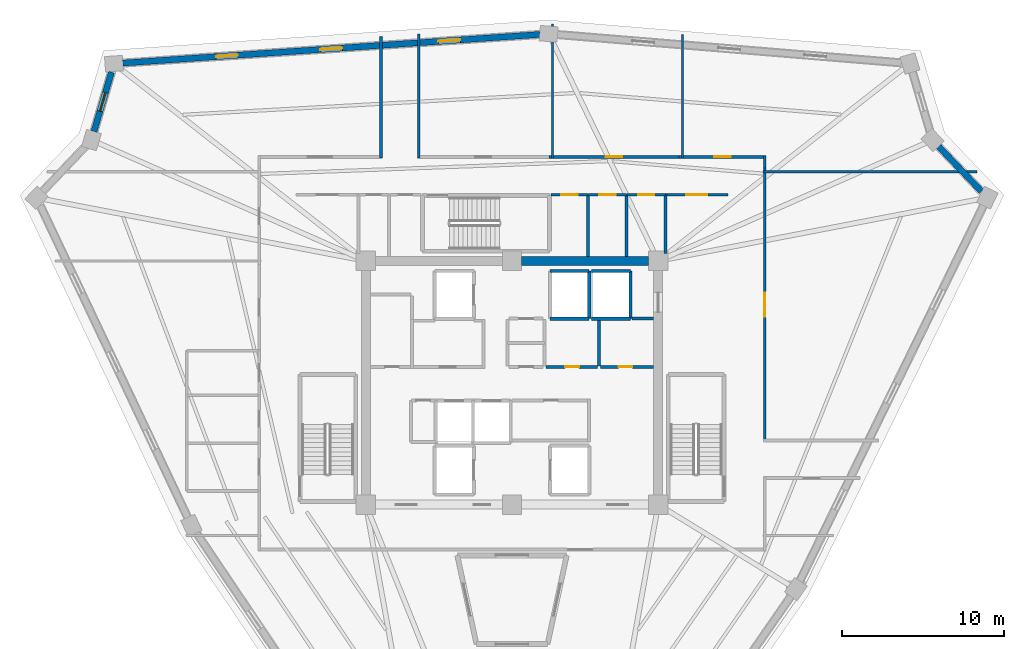
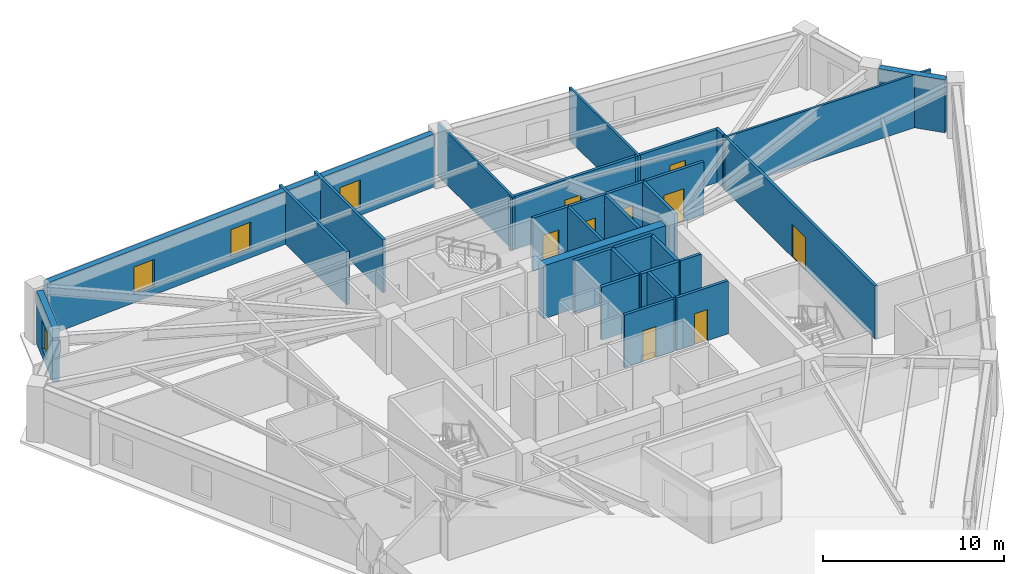
# One storey, part 6 of 9: 30 walls, 9 doors, 4 windows, 13 openings.
"""IFC4 building model written with IfcOpenShell, lengths in metres."""

from ifc_helpers import new_model, si_unit, direction, frame, frame_2d, origin, place, context, subcontext, project, spatial, rectangle, extrude, source, transform, mapped, material, layer, layer_set, type_object, element, fill, save


model = new_model("IFC4")

# Units and contexts
model_context = context("Model", 3, precision=1e-05, world=origin(), true_north=direction((0.0, 1.0)))
body_context = subcontext(model_context, "Body", "Model", "MODEL_VIEW")
ifc_project = project(units=[si_unit("LENGTHUNIT", "METRE"), si_unit("AREAUNIT", "SQUARE_METRE"), si_unit("VOLUMEUNIT", "CUBIC_METRE"), si_unit("PLANEANGLEUNIT", "RADIAN"), si_unit("MASSUNIT", "GRAM", prefix="KILO")], contexts=[model_context])

# Site, building, storey
site_placement = place(None, origin())
site = spatial("IfcSite", under=ifc_project, at=site_placement, CompositionType="ELEMENT")
building_placement = place(site_placement, origin())
building = spatial("IfcBuilding", under=site, at=building_placement, Name="Liaohun Quay Tower", CompositionType="ELEMENT")
storey_placement = place(building_placement, frame((0.0, 0.0, 328.5)))
storey = spatial("IfcBuildingStorey", under=building, at=storey_placement, Name="L85", CompositionType="ELEMENT", Elevation=328.5)

# Walls
ifc_material_1 = material(Name="Concrete C50", Category="concrete")
ifc_layer_1 = layer(ifc_material_1, 0.550048828125, Name="Concrete C50", Category="concrete")
ifc_layer_set_1 = layer_set([ifc_layer_1], Name="Concrete C50")
wall_type_1 = type_object("IfcWallType", Name="WAL-COR-Z4", PredefinedType="SHEAR", material=ifc_layer_set_1)
wall_1_placement = place(storey_placement, frame((60.60009765625, 61.5, 0.0), z_axis=(0.0, 0.0, 1.0), x_axis=(1.0, 0.0, 0.0)))
element("IfcWall", 1, at=wall_1_placement, inside=storey, type_object=wall_type_1, Name="L85 Central Core Shear Wall N-E", PredefinedType="SHEAR", context=body_context, shape_type="SweptSolid", body=[
    extrude(rectangle(XDim=7.7998046875, YDim=0.550048828125, at=frame_2d((3.89990234375, 0.0))), origin(), (0.0, 0.0, 1.0), 3.570068359375),
])
ifc_material_2 = material(Name="Precast concrete C50 insulated sandwich", Category="concrete")
ifc_layer_2 = layer(ifc_material_2, 0.3798828125, Name="Precast concrete C50 insulated sandwich", Category="concrete")
ifc_layer_set_2 = layer_set([ifc_layer_2], Name="Precast concrete C50 insulated sandwich")
wall_type_2 = type_object("IfcWallType", Name="WAL-EXT-Z34", PredefinedType="SOLIDWALL", material=ifc_layer_set_2)
wall_2_placement = place(storey_placement, frame((88.89599609375, 65.7900390625, 0.0), z_axis=(0.0, 0.0, 1.0), x_axis=(-0.689375804196, 0.724403893273, 0.0)))
element("IfcWall", 2, at=wall_2_placement, inside=storey, type_object=wall_type_2, Name="L85 Brutalist Precast Pier Wall 04", PredefinedType="SOLIDWALL", context=body_context, shape_type="SweptSolid", body=[
    extrude(rectangle(XDim=3.819580078125, YDim=0.3798828125, at=frame_2d((1.90966796875, 0.0))), origin(), (0.0, 0.0, 1.0), 3.570068359375),
])

# Wall, openings, windows
wall_3_placement = place(storey_placement, frame((61.718994140625, 75.447998046875, 0.0), z_axis=(0.0, 0.0, 1.0), x_axis=(-0.997650373025, -0.068510825445, 0.0)))
wall_3 = element("IfcWall", 3, at=wall_3_placement, inside=storey, type_object=wall_type_2, Name="L85 Brutalist Precast Pier Wall 07", PredefinedType="SOLIDWALL", context=body_context, shape_type="SweptSolid", body=[
    extrude(rectangle(XDim=25.74658203125, YDim=0.3798828125, at=frame_2d((12.873291015625, 0.0))), origin(), (0.0, 0.0, 1.0), 3.570068359375),
])
shared_shape_1 = source(origin(), body_context, "Body", "SweptSolid", [
    extrude(rectangle(XDim=1.35009765625, YDim=1.85009765625, at=frame_2d((0.675048828125, 0.925048828125))), frame((0.0, 0.199951171875, 0.0), z_axis=(0.0, -1.0, 0.0), x_axis=(1.0, 0.0, 0.0)), (0.0, 0.0, 1.0), 0.39990234375),
])
opening_1_placement = place(wall_3_placement, frame((4.912109375, 0.0, 0.550048828125)))
opening_1 = element("IfcOpeningElement", 4, at=opening_1_placement, cuts=wall_3, Name="Opening W04", PredefinedType="OPENING", context=body_context, shape_type="MappedRepresentation", body=[
    mapped(shared_shape_1, transform((0.0, 0.0, 0.0), x_axis=(1.0, 0.0, 0.0), y_axis=(0.0, 1.0, 0.0), z_axis=(0.0, 0.0, 1.0), scale=1.0)),
])
opening_2_placement = place(wall_3_placement, frame((12.197998046875, 0.0, 0.550048828125)))
opening_2 = element("IfcOpeningElement", 5, at=opening_2_placement, cuts=wall_3, Name="Opening W04", PredefinedType="OPENING", context=body_context, shape_type="MappedRepresentation", body=[
    mapped(shared_shape_1, transform((0.0, 0.0, 0.0), x_axis=(1.0, 0.0, 0.0), y_axis=(0.0, 1.0, 0.0), z_axis=(0.0, 0.0, 1.0), scale=1.0)),
])
opening_3_placement = place(wall_3_placement, frame((18.635009765625, 0.0, 0.550048828125)))
opening_3 = element("IfcOpeningElement", 6, at=opening_3_placement, cuts=wall_3, Name="Opening W04", PredefinedType="OPENING", context=body_context, shape_type="MappedRepresentation", body=[
    mapped(shared_shape_1, transform((0.0, 0.0, 0.0), x_axis=(1.0, 0.0, 0.0), y_axis=(0.0, 1.0, 0.0), z_axis=(0.0, 0.0, 1.0), scale=1.0)),
])
ifc_material_3 = material(Name="Triple Low-E argon glazing in thermally broken aluminium", Category="aluminium")
window_type_1 = type_object("IfcWindowType", Name="WIN-PUN-Z4", PartitioningType="SINGLE_PANEL", PredefinedType="WINDOW", material=ifc_material_3)
shared_shape_2 = source(origin(), body_context, "Body", "SweptSolid", [
    extrude(rectangle(XDim=1.35009765625, YDim=1.85009765625, at=frame_2d((0.675048828125, 0.925048828125))), frame((0.0, 0.030029296875, 0.0), z_axis=(0.0, -1.0, 0.0), x_axis=(1.0, 0.0, 0.0)), (0.0, 0.0, 1.0), 0.06005859375),
])
window_1_placement = place(opening_1_placement, origin())
window_1 = element("IfcWindow", 7, at=window_1_placement, inside=storey, type_object=window_type_1, Name="L85 Recessed Cold-Climate Punched Window 07-1", OverallHeight=1.85009765625, OverallWidth=1.35009765625, PartitioningType="SINGLE_PANEL", PredefinedType="WINDOW", context=body_context, shape_type="MappedRepresentation", body=[
    mapped(shared_shape_2, transform((0.0, 0.0, 0.0), x_axis=(1.0, 0.0, 0.0), y_axis=(0.0, 1.0, 0.0), z_axis=(0.0, 0.0, 1.0), scale=1.0)),
])
fill(opening_1, window_1)
window_2_placement = place(opening_2_placement, origin())
window_2 = element("IfcWindow", 8, at=window_2_placement, inside=storey, type_object=window_type_1, Name="L85 Recessed Cold-Climate Punched Window 07-2", OverallHeight=1.85009765625, OverallWidth=1.35009765625, PartitioningType="SINGLE_PANEL", PredefinedType="WINDOW", context=body_context, shape_type="MappedRepresentation", body=[
    mapped(shared_shape_2, transform((0.0, 0.0, 0.0), x_axis=(1.0, 0.0, 0.0), y_axis=(0.0, 1.0, 0.0), z_axis=(0.0, 0.0, 1.0), scale=1.0)),
])
fill(opening_2, window_2)
window_3_placement = place(opening_3_placement, origin())
window_3 = element("IfcWindow", 9, at=window_3_placement, inside=storey, type_object=window_type_1, Name="L85 Recessed Cold-Climate Punched Window 07-3", OverallHeight=1.85009765625, OverallWidth=1.35009765625, PartitioningType="SINGLE_PANEL", PredefinedType="WINDOW", context=body_context, shape_type="MappedRepresentation", body=[
    mapped(shared_shape_2, transform((0.0, 0.0, 0.0), x_axis=(1.0, 0.0, 0.0), y_axis=(0.0, 1.0, 0.0), z_axis=(0.0, 0.0, 1.0), scale=1.0)),
])
fill(opening_3, window_3)

# Wall, opening, window
wall_4_placement = place(storey_placement, frame((35.341064453125, 73.12890625, 0.0), z_axis=(0.0, 0.0, 1.0), x_axis=(-0.282598986048, -0.959238142009, 0.0)))
wall_4 = element("IfcWall", 10, at=wall_4_placement, inside=storey, type_object=wall_type_2, Name="L85 Brutalist Precast Pier Wall 08", PredefinedType="SOLIDWALL", context=body_context, shape_type="SweptSolid", body=[
    extrude(rectangle(XDim=3.818603515625, YDim=0.3798828125, at=frame_2d((1.9091796875, 0.0))), origin(), (0.0, 0.0, 1.0), 3.570068359375),
])
shared_shape_3 = source(origin(), body_context, "Body", "SweptSolid", [
    extrude(rectangle(XDim=1.199951171875, YDim=1.89990234375, at=frame_2d((0.60009765625, 0.949951171875))), frame((0.0, 0.199951171875, 0.0), z_axis=(0.0, -1.0, 0.0), x_axis=(1.0, 0.0, 0.0)), (0.0, 0.0, 1.0), 0.39990234375),
])
opening_4_placement = place(wall_4_placement, frame((1.30908203125, 0.0, 0.550048828125)))
opening_4 = element("IfcOpeningElement", 11, at=opening_4_placement, cuts=wall_4, Name="Opening W05", PredefinedType="OPENING", context=body_context, shape_type="MappedRepresentation", body=[
    mapped(shared_shape_3, transform((0.0, 0.0, 0.0), x_axis=(1.0, 0.0, 0.0), y_axis=(0.0, 1.0, 0.0), z_axis=(0.0, 0.0, 1.0), scale=1.0)),
])
ifc_material_4 = material(Name="Triple Low-E corner notch glazing", Category="glass")
window_type_2 = type_object("IfcWindowType", Name="WIN-NOTCH", PartitioningType="SINGLE_PANEL", PredefinedType="WINDOW", material=ifc_material_4)
shared_shape_4 = source(origin(), body_context, "Body", "SweptSolid", [
    extrude(rectangle(XDim=1.199951171875, YDim=1.89990234375, at=frame_2d((0.60009765625, 0.949951171875))), frame((0.0, 0.030029296875, 0.0), z_axis=(0.0, -1.0, 0.0), x_axis=(1.0, 0.0, 0.0)), (0.0, 0.0, 1.0), 0.06005859375),
])
window_4_placement = place(opening_4_placement, origin())
window_4 = element("IfcWindow", 12, at=window_4_placement, inside=storey, type_object=window_type_2, Name="L85 Corner Notch Window W05-08", OverallHeight=1.89990234375, OverallWidth=1.199951171875, PartitioningType="SINGLE_PANEL", PredefinedType="WINDOW", context=body_context, shape_type="MappedRepresentation", body=[
    mapped(shared_shape_4, transform((0.0, 0.0, 0.0), x_axis=(1.0, 0.0, 0.0), y_axis=(0.0, 1.0, 0.0), z_axis=(0.0, 0.0, 1.0), scale=1.0)),
])
fill(opening_4, window_4)

# Wall, opening, door
ifc_material_5 = material(Name="Autoclaved aerated concrete blockwork", Category="masonry")
ifc_layer_3 = layer(ifc_material_5, 0.179931640625, Name="Autoclaved aerated concrete blockwork", Category="masonry")
ifc_layer_set_3 = layer_set([ifc_layer_3], Name="Autoclaved aerated concrete blockwork")
wall_type_3 = type_object("IfcWallType", Name="WAL-PRT-COR", PredefinedType="PARTITIONING", material=ifc_layer_set_3)
wall_5_placement = place(storey_placement, frame((62.10009765625, 54.97998046875, 0.0), z_axis=(0.0, 0.0, 1.0), x_axis=(1.0, 0.0, 0.0)))
wall_5 = element("IfcWall", 13, at=wall_5_placement, inside=storey, type_object=wall_type_3, Name="L85 Interior Partition Wall 004", PredefinedType="PARTITIONING", context=body_context, shape_type="SweptSolid", body=[
    extrude(rectangle(XDim=3.159912109375, YDim=0.179931640625, at=frame_2d((1.580078125, 0.0))), origin(), (0.0, 0.0, 1.0), 3.570068359375),
])
shared_shape_5 = source(origin(), body_context, "Body", "SweptSolid", [
    extrude(rectangle(XDim=0.85009765625, YDim=2.10009765625, at=frame_2d((0.425048828125, 1.050048828125))), frame((0.0, 0.099853515625, 0.0), z_axis=(0.0, -1.0, 0.0), x_axis=(1.0, 0.0, 0.0)), (0.0, 0.0, 1.0), 0.199951171875),
])
opening_5_placement = place(wall_5_placement, frame((1.175048828125, 0.0, 0.0)))
opening_5 = element("IfcOpeningElement", 14, at=opening_5_placement, cuts=wall_5, Name="Opening AD1", PredefinedType="OPENING", context=body_context, shape_type="MappedRepresentation", body=[
    mapped(shared_shape_5, transform((0.0, 0.0, 0.0), x_axis=(1.0, 0.0, 0.0), y_axis=(0.0, 1.0, 0.0), z_axis=(0.0, 0.0, 1.0), scale=1.0)),
])
ifc_material_6 = material(Name="Steel riser inspection fire door", Category="steel")
door_type_1 = type_object("IfcDoorType", Name="DOR-SHF-850", OperationType="NOTDEFINED", PredefinedType="DOOR", material=ifc_material_6)
shared_shape_6 = source(origin(), body_context, "Body", "SweptSolid", [
    extrude(rectangle(XDim=0.85009765625, YDim=2.10009765625, at=frame_2d((0.425048828125, 1.050048828125))), frame((0.0, 0.02490234375, 0.0), z_axis=(0.0, -1.0, 0.0), x_axis=(1.0, 0.0, 0.0)), (0.0, 0.0, 1.0), 0.050048828125),
])
door_1_placement = place(opening_5_placement, origin())
door_1 = element("IfcDoor", 15, at=door_1_placement, inside=storey, type_object=door_type_1, Name="L85 Core Facilities Store Door", OperationType="SINGLE_SWING_RIGHT", OverallHeight=2.10009765625, OverallWidth=0.85009765625, PredefinedType="DOOR", context=body_context, shape_type="MappedRepresentation", body=[
    mapped(shared_shape_6, transform((0.0, 0.0, 0.0), x_axis=(1.0, 0.0, 0.0), y_axis=(0.0, 1.0, 0.0), z_axis=(0.0, 0.0, 1.0), scale=1.0)),
])
fill(opening_5, door_1)

wall_6_placement = place(storey_placement, frame((65.43994140625, 54.97998046875, 0.0), z_axis=(0.0, 0.0, 1.0), x_axis=(1.0, 0.0, 0.0)))
wall_6 = element("IfcWall", 16, at=wall_6_placement, inside=storey, type_object=wall_type_3, Name="L85 Interior Partition Wall 005", PredefinedType="PARTITIONING", context=body_context, shape_type="SweptSolid", body=[
    extrude(rectangle(XDim=3.28515625, YDim=0.179931640625, at=frame_2d((1.642578125, 0.0))), origin(), (0.0, 0.0, 1.0), 3.570068359375),
])
opening_6_placement = place(wall_6_placement, frame((1.1201171875, 0.0, 0.0)))
opening_6 = element("IfcOpeningElement", 17, at=opening_6_placement, cuts=wall_6, Name="Opening AD1", PredefinedType="OPENING", context=body_context, shape_type="MappedRepresentation", body=[
    mapped(shared_shape_5, transform((0.0, 0.0, 0.0), x_axis=(1.0, 0.0, 0.0), y_axis=(0.0, 1.0, 0.0), z_axis=(0.0, 0.0, 1.0), scale=1.0)),
])
door_2_placement = place(opening_6_placement, origin())
door_2 = element("IfcDoor", 18, at=door_2_placement, inside=storey, type_object=door_type_1, Name="L85 Core Comms Equipment Room Door", OperationType="SINGLE_SWING_LEFT", OverallHeight=2.10009765625, OverallWidth=0.85009765625, PredefinedType="DOOR", context=body_context, shape_type="MappedRepresentation", body=[
    mapped(shared_shape_6, transform((0.0, 0.0, 0.0), x_axis=(1.0, 0.0, 0.0), y_axis=(0.0, 1.0, 0.0), z_axis=(0.0, 0.0, 1.0), scale=1.0)),
])
fill(opening_6, door_2)

wall_7_placement = place(storey_placement, frame((62.389892578125, 65.580078125, 0.0), z_axis=(0.0, 0.0, 1.0), x_axis=(1.0, 0.0, 0.0)))
wall_7 = element("IfcWall", 19, at=wall_7_placement, inside=storey, type_object=wall_type_3, Name="L85 Interior Partition Wall 014", PredefinedType="PARTITIONING", context=body_context, shape_type="SweptSolid", body=[
    extrude(rectangle(XDim=2.2900390625, YDim=0.179931640625, at=frame_2d((1.14501953125, 0.0))), origin(), (0.0, 0.0, 1.0), 3.570068359375),
])
shared_shape_7 = source(origin(), body_context, "Body", "SweptSolid", [
    extrude(rectangle(XDim=1.0, YDim=2.199951171875, at=frame_2d((0.5, 1.10009765625))), frame((0.0, 0.099853515625, 0.0), z_axis=(0.0, -1.0, 0.0), x_axis=(1.0, 0.0, 0.0)), (0.0, 0.0, 1.0), 0.199951171875),
])
opening_7_placement = place(wall_7_placement, frame((0.64501953125, 0.0, 0.0)))
opening_7 = element("IfcOpeningElement", 20, at=opening_7_placement, cuts=wall_7, Name="Opening OD1", PredefinedType="OPENING", context=body_context, shape_type="MappedRepresentation", body=[
    mapped(shared_shape_7, transform((0.0, 0.0, 0.0), x_axis=(1.0, 0.0, 0.0), y_axis=(0.0, 1.0, 0.0), z_axis=(0.0, 0.0, 1.0), scale=1.0)),
])
ifc_material_7 = material(Name="Solid-core oak veneer timber leaf in steel frame", Category="steel")
door_type_2 = type_object("IfcDoorType", Name="DOR-OFF-1000", OperationType="NOTDEFINED", PredefinedType="DOOR", material=ifc_material_7)
shared_shape_8 = source(origin(), body_context, "Body", "SweptSolid", [
    extrude(rectangle(XDim=1.0, YDim=2.199951171875, at=frame_2d((0.5, 1.10009765625))), frame((0.0, 0.02490234375, 0.0), z_axis=(0.0, -1.0, 0.0), x_axis=(1.0, 0.0, 0.0)), (0.0, 0.0, 1.0), 0.050048828125),
])
door_3_placement = place(opening_7_placement, origin())
door_3 = element("IfcDoor", 21, at=door_3_placement, inside=storey, type_object=door_type_2, Name="L85 North-East Mail Store Door", OperationType="SINGLE_SWING_RIGHT", OverallHeight=2.199951171875, OverallWidth=1.0, PredefinedType="DOOR", context=body_context, shape_type="MappedRepresentation", body=[
    mapped(shared_shape_8, transform((0.0, 0.0, 0.0), x_axis=(1.0, 0.0, 0.0), y_axis=(0.0, 1.0, 0.0), z_axis=(0.0, 0.0, 1.0), scale=1.0)),
])
fill(opening_7, door_3)

wall_8_placement = place(storey_placement, frame((64.719970703125, 65.580078125, 0.0), z_axis=(0.0, 0.0, 1.0), x_axis=(1.0, 0.0, 0.0)))
wall_8 = element("IfcWall", 22, at=wall_8_placement, inside=storey, type_object=wall_type_3, Name="L85 Interior Partition Wall 015", PredefinedType="PARTITIONING", context=body_context, shape_type="SweptSolid", body=[
    extrude(rectangle(XDim=2.320068359375, YDim=0.179931640625, at=frame_2d((1.16015625, 0.0))), origin(), (0.0, 0.0, 1.0), 3.570068359375),
])
opening_8_placement = place(wall_8_placement, frame((0.659912109375, 0.0, 0.0)))
opening_8 = element("IfcOpeningElement", 23, at=opening_8_placement, cuts=wall_8, Name="Opening OD1", PredefinedType="OPENING", context=body_context, shape_type="MappedRepresentation", body=[
    mapped(shared_shape_7, transform((0.0, 0.0, 0.0), x_axis=(1.0, 0.0, 0.0), y_axis=(0.0, 1.0, 0.0), z_axis=(0.0, 0.0, 1.0), scale=1.0)),
])
door_4_placement = place(opening_8_placement, origin())
door_4 = element("IfcDoor", 24, at=door_4_placement, inside=storey, type_object=door_type_2, Name="L85 North-East Comms Room Door", OperationType="SINGLE_SWING_LEFT", OverallHeight=2.199951171875, OverallWidth=1.0, PredefinedType="DOOR", context=body_context, shape_type="MappedRepresentation", body=[
    mapped(shared_shape_8, transform((0.0, 0.0, 0.0), x_axis=(1.0, 0.0, 0.0), y_axis=(0.0, 1.0, 0.0), z_axis=(0.0, 0.0, 1.0), scale=1.0)),
])
fill(opening_8, door_4)

wall_9_placement = place(storey_placement, frame((67.080078125, 65.580078125, 0.0), z_axis=(0.0, 0.0, 1.0), x_axis=(1.0, 0.0, 0.0)))
wall_9 = element("IfcWall", 25, at=wall_9_placement, inside=storey, type_object=wall_type_3, Name="L85 Interior Partition Wall 016", PredefinedType="PARTITIONING", context=body_context, shape_type="SweptSolid", body=[
    extrude(rectangle(XDim=2.3798828125, YDim=0.179931640625, at=frame_2d((1.18994140625, 0.0))), origin(), (0.0, 0.0, 1.0), 3.570068359375),
])
opening_9_placement = place(wall_9_placement, frame((0.68994140625, 0.0, 0.0)))
opening_9 = element("IfcOpeningElement", 26, at=opening_9_placement, cuts=wall_9, Name="Opening OD1", PredefinedType="OPENING", context=body_context, shape_type="MappedRepresentation", body=[
    mapped(shared_shape_7, transform((0.0, 0.0, 0.0), x_axis=(1.0, 0.0, 0.0), y_axis=(0.0, 1.0, 0.0), z_axis=(0.0, 0.0, 1.0), scale=1.0)),
])
door_5_placement = place(opening_9_placement, origin())
door_5 = element("IfcDoor", 27, at=door_5_placement, inside=storey, type_object=door_type_2, Name="L85 North-East Cleaner Store Door", OperationType="SINGLE_SWING_RIGHT", OverallHeight=2.199951171875, OverallWidth=1.0, PredefinedType="DOOR", context=body_context, shape_type="MappedRepresentation", body=[
    mapped(shared_shape_8, transform((0.0, 0.0, 0.0), x_axis=(1.0, 0.0, 0.0), y_axis=(0.0, 1.0, 0.0), z_axis=(0.0, 0.0, 1.0), scale=1.0)),
])
fill(opening_9, door_5)

wall_10_placement = place(storey_placement, frame((69.4599609375, 65.580078125, 0.0), z_axis=(0.0, 0.0, 1.0), x_axis=(1.0, 0.0, 0.0)))
wall_10 = element("IfcWall", 28, at=wall_10_placement, inside=storey, type_object=wall_type_3, Name="L85 Interior Partition Wall 018", PredefinedType="PARTITIONING", context=body_context, shape_type="SweptSolid", body=[
    extrude(rectangle(XDim=3.840087890625, YDim=0.179931640625, at=frame_2d((1.919921875, 0.0))), origin(), (0.0, 0.0, 1.0), 3.570068359375),
])
shared_shape_9 = source(origin(), body_context, "Body", "SweptSolid", [
    extrude(rectangle(XDim=1.300048828125, YDim=2.199951171875, at=frame_2d((0.64990234375, 1.10009765625))), frame((0.0, 0.099853515625, 0.0), z_axis=(0.0, -1.0, 0.0), x_axis=(1.0, 0.0, 0.0)), (0.0, 0.0, 1.0), 0.199951171875),
])
opening_10_placement = place(wall_10_placement, frame((1.27001953125, 0.0, 0.0)))
opening_10 = element("IfcOpeningElement", 29, at=opening_10_placement, cuts=wall_10, Name="Opening FD1", PredefinedType="OPENING", context=body_context, shape_type="MappedRepresentation", body=[
    mapped(shared_shape_9, transform((0.0, 0.0, 0.0), x_axis=(1.0, 0.0, 0.0), y_axis=(0.0, 1.0, 0.0), z_axis=(0.0, 0.0, 1.0), scale=1.0)),
])
ifc_material_8 = material(Name="Galvanised steel smokeproof fire door", Category="steel")
door_type_3 = type_object("IfcDoorType", Name="DOR-FFL-1300", OperationType="NOTDEFINED", PredefinedType="DOOR", material=ifc_material_8)
shared_shape_10 = source(origin(), body_context, "Body", "SweptSolid", [
    extrude(rectangle(XDim=1.300048828125, YDim=2.199951171875, at=frame_2d((0.64990234375, 1.10009765625))), frame((0.0, 0.02490234375, 0.0), z_axis=(0.0, -1.0, 0.0), x_axis=(1.0, 0.0, 0.0)), (0.0, 0.0, 1.0), 0.050048828125),
])
door_6_placement = place(opening_10_placement, origin())
door_6 = element("IfcDoor", 30, at=door_6_placement, inside=storey, type_object=door_type_3, Name="L85 East Core Vestibule Door", OperationType="SINGLE_SWING_RIGHT", OverallHeight=2.199951171875, OverallWidth=1.300048828125, PredefinedType="DOOR", context=body_context, shape_type="MappedRepresentation", body=[
    mapped(shared_shape_10, transform((0.0, 0.0, 0.0), x_axis=(1.0, 0.0, 0.0), y_axis=(0.0, 1.0, 0.0), z_axis=(0.0, 0.0, 1.0), scale=1.0)),
])
fill(opening_10, door_6)

wall_11_placement = place(storey_placement, frame((75.56005859375, 67.215087890625, 0.0), z_axis=(0.0, 0.0, 1.0), x_axis=(0.0, -1.0, 0.0)))
wall_11 = element("IfcWall", 31, at=wall_11_placement, inside=storey, type_object=wall_type_3, Name="L85 Interior Partition Wall 019", PredefinedType="PARTITIONING", context=body_context, shape_type="SweptSolid", body=[
    extrude(rectangle(XDim=16.8251953125, YDim=0.179931640625, at=frame_2d((8.41259765625, 0.0))), origin(), (0.0, 0.0, 1.0), 3.570068359375),
])
shared_shape_11 = source(origin(), body_context, "Body", "SweptSolid", [
    extrude(rectangle(XDim=1.5, YDim=2.199951171875, at=frame_2d((0.75, 1.10009765625))), frame((0.0, 0.099853515625, 0.0), z_axis=(0.0, -1.0, 0.0), x_axis=(1.0, 0.0, 0.0)), (0.0, 0.0, 1.0), 0.199951171875),
])
opening_11_placement = place(wall_11_placement, frame((7.6630859375, 0.0, 0.0)))
opening_11 = element("IfcOpeningElement", 32, at=opening_11_placement, cuts=wall_11, Name="Opening OD2", PredefinedType="OPENING", context=body_context, shape_type="MappedRepresentation", body=[
    mapped(shared_shape_11, transform((0.0, 0.0, 0.0), x_axis=(1.0, 0.0, 0.0), y_axis=(0.0, 1.0, 0.0), z_axis=(0.0, 0.0, 1.0), scale=1.0)),
])
ifc_material_9 = material(Name="Acoustic oak veneer double door")
door_type_4 = type_object("IfcDoorType", Name="DOR-OFF-1500", OperationType="DOUBLE_DOOR_SINGLE_SWING", PredefinedType="DOOR", material=ifc_material_9)
shared_shape_12 = source(origin(), body_context, "Body", "SweptSolid", [
    extrude(rectangle(XDim=1.5, YDim=2.199951171875, at=frame_2d((0.75, 1.10009765625))), frame((0.0, 0.02490234375, 0.0), z_axis=(0.0, -1.0, 0.0), x_axis=(1.0, 0.0, 0.0)), (0.0, 0.0, 1.0), 0.050048828125),
])
door_7_placement = place(opening_11_placement, origin())
door_7 = element("IfcDoor", 33, at=door_7_placement, inside=storey, type_object=door_type_4, Name="L85 Occupational Wellness Clinic 01 Door", OperationType="DOUBLE_DOOR_SINGLE_SWING", OverallHeight=2.199951171875, OverallWidth=1.5, PredefinedType="DOOR", context=body_context, shape_type="MappedRepresentation", body=[
    mapped(shared_shape_12, transform((0.0, 0.0, 0.0), x_axis=(1.0, 0.0, 0.0), y_axis=(0.0, 1.0, 0.0), z_axis=(0.0, 0.0, 1.0), scale=1.0)),
])
fill(opening_11, door_7)

wall_12_placement = place(storey_placement, frame((70.284912109375, 67.909912109375, 0.0), z_axis=(0.0, 0.0, 1.0), x_axis=(1.0, 0.0, 0.0)))
wall_12 = element("IfcWall", 34, at=wall_12_placement, inside=storey, type_object=wall_type_3, Name="L85 Interior Partition Wall 020", PredefinedType="PARTITIONING", context=body_context, shape_type="SweptSolid", body=[
    extrude(rectangle(XDim=5.344970703125, YDim=0.179931640625, at=frame_2d((2.67236328125, 0.0))), origin(), (0.0, 0.0, 1.0), 3.570068359375),
])
opening_12_placement = place(wall_12_placement, frame((2.172119140625, 0.0, 0.0)))
opening_12 = element("IfcOpeningElement", 35, at=opening_12_placement, cuts=wall_12, Name="Opening OD1", PredefinedType="OPENING", context=body_context, shape_type="MappedRepresentation", body=[
    mapped(shared_shape_7, transform((0.0, 0.0, 0.0), x_axis=(1.0, 0.0, 0.0), y_axis=(0.0, 1.0, 0.0), z_axis=(0.0, 0.0, 1.0), scale=1.0)),
])
door_8_placement = place(opening_12_placement, origin())
door_8 = element("IfcDoor", 36, at=door_8_placement, inside=storey, type_object=door_type_2, Name="L85 Corporate Exhibition Gallery 02 Door", OperationType="SINGLE_SWING_RIGHT", OverallHeight=2.199951171875, OverallWidth=1.0, PredefinedType="DOOR", context=body_context, shape_type="MappedRepresentation", body=[
    mapped(shared_shape_8, transform((0.0, 0.0, 0.0), x_axis=(1.0, 0.0, 0.0), y_axis=(0.0, 1.0, 0.0), z_axis=(0.0, 0.0, 1.0), scale=1.0)),
])
fill(opening_12, door_8)

wall_13_placement = place(storey_placement, frame((62.284912109375, 67.909912109375, 0.0), z_axis=(0.0, 0.0, 1.0), x_axis=(1.0, 0.0, 0.0)))
wall_13 = element("IfcWall", 37, at=wall_13_placement, inside=storey, type_object=wall_type_3, Name="L85 Interior Partition Wall 021", PredefinedType="PARTITIONING", context=body_context, shape_type="SweptSolid", body=[
    extrude(rectangle(XDim=8.0, YDim=0.179931640625, at=frame_2d((4.0, 0.0))), origin(), (0.0, 0.0, 1.0), 3.570068359375),
])
opening_13_placement = place(wall_13_placement, frame((3.5, 0.0, 0.0)))
opening_13 = element("IfcOpeningElement", 38, at=opening_13_placement, cuts=wall_13, Name="Opening OD1", PredefinedType="OPENING", context=body_context, shape_type="MappedRepresentation", body=[
    mapped(shared_shape_7, transform((0.0, 0.0, 0.0), x_axis=(1.0, 0.0, 0.0), y_axis=(0.0, 1.0, 0.0), z_axis=(0.0, 0.0, 1.0), scale=1.0)),
])
door_9_placement = place(opening_13_placement, origin())
door_9 = element("IfcDoor", 39, at=door_9_placement, inside=storey, type_object=door_type_2, Name="L85 Occupational Wellness Clinic 03 Door", OperationType="SINGLE_SWING_LEFT", OverallHeight=2.199951171875, OverallWidth=1.0, PredefinedType="DOOR", context=body_context, shape_type="MappedRepresentation", body=[
    mapped(shared_shape_8, transform((0.0, 0.0, 0.0), x_axis=(1.0, 0.0, 0.0), y_axis=(0.0, 1.0, 0.0), z_axis=(0.0, 0.0, 1.0), scale=1.0)),
])
fill(opening_13, door_9)

# Walls
wall_14_placement = place(storey_placement, frame((65.35009765625, 55.02001953125, 0.0), z_axis=(0.0, 0.0, 1.0), x_axis=(0.0, 1.0, 0.0)))
element("IfcWall", 40, at=wall_14_placement, inside=storey, type_object=wall_type_3, Name="L85 Interior Partition Wall 029", PredefinedType="PARTITIONING", context=body_context, shape_type="SweptSolid", body=[
    extrude(rectangle(XDim=2.85986328125, YDim=0.179931640625, at=frame_2d((1.429931640625, 0.0))), origin(), (0.0, 0.0, 1.0), 3.570068359375),
])
for number, where, z_axis, x_axis, name in (
    (41, (64.679931640625, 61.77490234375, 0.0), (0.0, 0.0, 1.0), (0.0, 1.0, 0.0), "L85 Interior Partition Wall 042"),
    (42, (67.0400390625, 61.77490234375, 0.0), (0.0, 0.0, 1.0), (0.0, 1.0, 0.0), "L85 Interior Partition Wall 043"),
):
    element("IfcWall", number, at=place(storey_placement, frame(where, z_axis=z_axis, x_axis=x_axis)), inside=storey, type_object=wall_type_3, Name=name, PredefinedType="PARTITIONING", context=body_context, shape_type="SweptSolid", body=[
        extrude(rectangle(XDim=3.80517578125, YDim=0.179931640625, at=frame_2d((1.902587890625, 0.0))), origin(), (0.0, 0.0, 1.0), 3.570068359375),
    ])
wall_15_placement = place(storey_placement, frame((69.4599609375, 61.949951171875, 0.0), z_axis=(0.0, 0.0, 1.0), x_axis=(0.0, 1.0, 0.0)))
element("IfcWall", 43, at=wall_15_placement, inside=storey, type_object=wall_type_3, Name="L85 Interior Partition Wall 044", PredefinedType="PARTITIONING", context=body_context, shape_type="SweptSolid", body=[
    extrude(rectangle(XDim=3.630126953125, YDim=0.179931640625, at=frame_2d((1.81494140625, 0.0))), origin(), (0.0, 0.0, 1.0), 3.570068359375),
])
wall_16_placement = place(storey_placement, frame((75.56005859375, 67.97998046875, 0.0), z_axis=(0.0, 0.0, 1.0), x_axis=(0.0, -1.0, 0.0)))
element("IfcWall", 44, at=wall_16_placement, inside=storey, type_object=wall_type_3, Name="L85 Interior Partition Wall 046", PredefinedType="PARTITIONING", context=body_context, shape_type="SweptSolid", body=[
    extrude(rectangle(XDim=0.764892578125, YDim=0.179931640625, at=frame_2d((0.38232421875, 0.0))), origin(), (0.0, 0.0, 1.0), 3.570068359375),
])
wall_17_placement = place(storey_placement, frame((54.260009765625, 75.47607421875, 0.0), z_axis=(0.0, 0.0, 1.0), x_axis=(0.0, -1.0, 0.0)))
element("IfcWall", 45, at=wall_17_placement, inside=storey, type_object=wall_type_3, Name="L85 Interior Partition Wall 047", PredefinedType="PARTITIONING", context=body_context, shape_type="SweptSolid", body=[
    extrude(rectangle(XDim=7.635986328125, YDim=0.179931640625, at=frame_2d((3.81787109375, 0.0))), origin(), (0.0, 0.0, 1.0), 3.570068359375),
])
wall_18_placement = place(storey_placement, frame((51.93994140625, 67.840087890625, 0.0), z_axis=(0.0, 0.0, 1.0), x_axis=(0.0, 1.0, 0.0)))
element("IfcWall", 46, at=wall_18_placement, inside=storey, type_object=wall_type_3, Name="L85 Interior Partition Wall 048", PredefinedType="PARTITIONING", context=body_context, shape_type="SweptSolid", body=[
    extrude(rectangle(XDim=7.476806640625, YDim=0.179931640625, at=frame_2d((3.73828125, 0.0))), origin(), (0.0, 0.0, 1.0), 3.570068359375),
])
wall_19_placement = place(storey_placement, frame((67.39990234375, 57.949951171875, 0.0), z_axis=(0.0, 0.0, 1.0), x_axis=(1.0, 0.0, 0.0)))
element("IfcWall", 47, at=wall_19_placement, inside=storey, type_object=wall_type_3, Name="L85 Interior Partition Wall 068", PredefinedType="PARTITIONING", context=body_context, shape_type="SweptSolid", body=[
    extrude(rectangle(XDim=1.3251953125, YDim=0.179931640625, at=frame_2d((0.66259765625, 0.0))), origin(), (0.0, 0.0, 1.0), 3.570068359375),
])
ifc_material_10 = material(Name="Gypsum board on twin steel studs", Category="steel")
ifc_layer_4 = layer(ifc_material_10, 0.139892578125, Name="Gypsum board on twin steel studs", Category="steel")
ifc_layer_set_4 = layer_set([ifc_layer_4], Name="Gypsum board on twin steel studs")
wall_type_4 = type_object("IfcWallType", Name="WAL-PRT-OFF", PredefinedType="PARTITIONING", material=ifc_layer_set_4)
wall_20_placement = place(storey_placement, frame((75.4599609375, 67.0, 0.0), z_axis=(0.0, 0.0, 1.0), x_axis=(1.0, 0.0, 0.0)))
element("IfcWall", 48, at=wall_20_placement, inside=storey, type_object=wall_type_4, Name="L85 Interior Partition Wall 058", PredefinedType="PARTITIONING", context=body_context, shape_type="SweptSolid", body=[
    extrude(rectangle(XDim=13.154052734375, YDim=0.139892578125, at=frame_2d((6.5771484375, 0.0))), origin(), (0.0, 0.0, 1.0), 3.570068359375),
])
wall_21_placement = place(storey_placement, frame((62.5, 67.81005859375, 0.0), z_axis=(0.0, 0.0, 1.0), x_axis=(0.0, 1.0, 0.0)))
element("IfcWall", 49, at=wall_21_placement, inside=storey, type_object=wall_type_4, Name="L85 Interior Partition Wall 059", PredefinedType="PARTITIONING", context=body_context, shape_type="SweptSolid", body=[
    extrude(rectangle(XDim=8.286865234375, YDim=0.139892578125, at=frame_2d((4.1435546875, 0.0))), origin(), (0.0, 0.0, 1.0), 3.570068359375),
])
wall_22_placement = place(storey_placement, frame((70.5, 67.81005859375, 0.0), z_axis=(0.0, 0.0, 1.0), x_axis=(0.0, 1.0, 0.0)))
element("IfcWall", 50, at=wall_22_placement, inside=storey, type_object=wall_type_4, Name="L85 Interior Partition Wall 060", PredefinedType="PARTITIONING", context=body_context, shape_type="SweptSolid", body=[
    extrude(rectangle(XDim=7.62890625, YDim=0.139892578125, at=frame_2d((3.814453125, 0.0))), origin(), (0.0, 0.0, 1.0), 3.570068359375),
])
ifc_layer_5 = layer(ifc_material_1, 0.239990234375, Name="Concrete C50", Category="concrete")
ifc_layer_set_5 = layer_set([ifc_layer_5], Name="Concrete C50")
wall_type_5 = type_object("IfcWallType", Name="WAL-SHF-200", PredefinedType="SOLIDWALL", material=ifc_layer_set_5)
wall_23_placement = place(storey_placement, frame((62.35009765625, 57.949951171875, 0.0), z_axis=(0.0, 0.0, 1.0), x_axis=(1.0, 0.0, 0.0)))
element("IfcWall", 51, at=wall_23_placement, inside=storey, type_object=wall_type_5, Name="L85 Lift OB-01 Hoistway Wall S", PredefinedType="SOLIDWALL", context=body_context, shape_type="SweptSolid", body=[
    extrude(rectangle(XDim=2.39990234375, YDim=0.199951171875, at=frame_2d((1.199951171875, 0.0))), origin(), (0.0, 0.0, 1.0), 3.570068359375),
])
wall_24_placement = place(storey_placement, frame((64.75, 57.949951171875, 0.0), z_axis=(0.0, 0.0, 1.0), x_axis=(0.0, 1.0, 0.0)))
element("IfcWall", 52, at=wall_24_placement, inside=storey, type_object=wall_type_5, Name="L85 Lift OB-01 Hoistway Wall E", PredefinedType="SOLIDWALL", context=body_context, shape_type="SweptSolid", body=[
    extrude(rectangle(XDim=2.929931640625, YDim=0.199951171875, at=frame_2d((1.46484375, 0.0))), origin(), (0.0, 0.0, 1.0), 3.570068359375),
])
wall_25_placement = place(storey_placement, frame((64.75, 60.8798828125, 0.0), z_axis=(0.0, 0.0, 1.0), x_axis=(-1.0, 0.0, 0.0)))
element("IfcWall", 53, at=wall_25_placement, inside=storey, type_object=wall_type_5, Name="L85 Lift OB-01 Hoistway Wall N", PredefinedType="SOLIDWALL", context=body_context, shape_type="SweptSolid", body=[
    extrude(rectangle(XDim=2.39990234375, YDim=0.199951171875, at=frame_2d((1.199951171875, 0.0))), origin(), (0.0, 0.0, 1.0), 3.570068359375),
])
wall_26_placement = place(storey_placement, frame((64.89990234375, 57.949951171875, 0.0), z_axis=(0.0, 0.0, 1.0), x_axis=(1.0, 0.0, 0.0)))
element("IfcWall", 54, at=wall_26_placement, inside=storey, type_object=wall_type_5, Name="L85 Lift OB-02 Hoistway Wall S", PredefinedType="SOLIDWALL", context=body_context, shape_type="SweptSolid", body=[
    extrude(rectangle(XDim=2.400146484375, YDim=0.199951171875, at=frame_2d((1.2001953125, 0.0))), origin(), (0.0, 0.0, 1.0), 3.570068359375),
])
wall_27_placement = place(storey_placement, frame((67.300048828125, 57.949951171875, 0.0), z_axis=(0.0, 0.0, 1.0), x_axis=(0.0, 1.0, 0.0)))
element("IfcWall", 55, at=wall_27_placement, inside=storey, type_object=wall_type_5, Name="L85 Lift OB-02 Hoistway Wall E", PredefinedType="SOLIDWALL", context=body_context, shape_type="SweptSolid", body=[
    extrude(rectangle(XDim=2.929931640625, YDim=0.199951171875, at=frame_2d((1.46484375, 0.0))), origin(), (0.0, 0.0, 1.0), 3.570068359375),
])
wall_28_placement = place(storey_placement, frame((67.300048828125, 60.8798828125, 0.0), z_axis=(0.0, 0.0, 1.0), x_axis=(-1.0, 0.0, 0.0)))
element("IfcWall", 56, at=wall_28_placement, inside=storey, type_object=wall_type_5, Name="L85 Lift OB-02 Hoistway Wall N", PredefinedType="SOLIDWALL", context=body_context, shape_type="SweptSolid", body=[
    extrude(rectangle(XDim=2.400146484375, YDim=0.199951171875, at=frame_2d((1.2001953125, 0.0))), origin(), (0.0, 0.0, 1.0), 3.570068359375),
])

save(model, "model.ifc")
